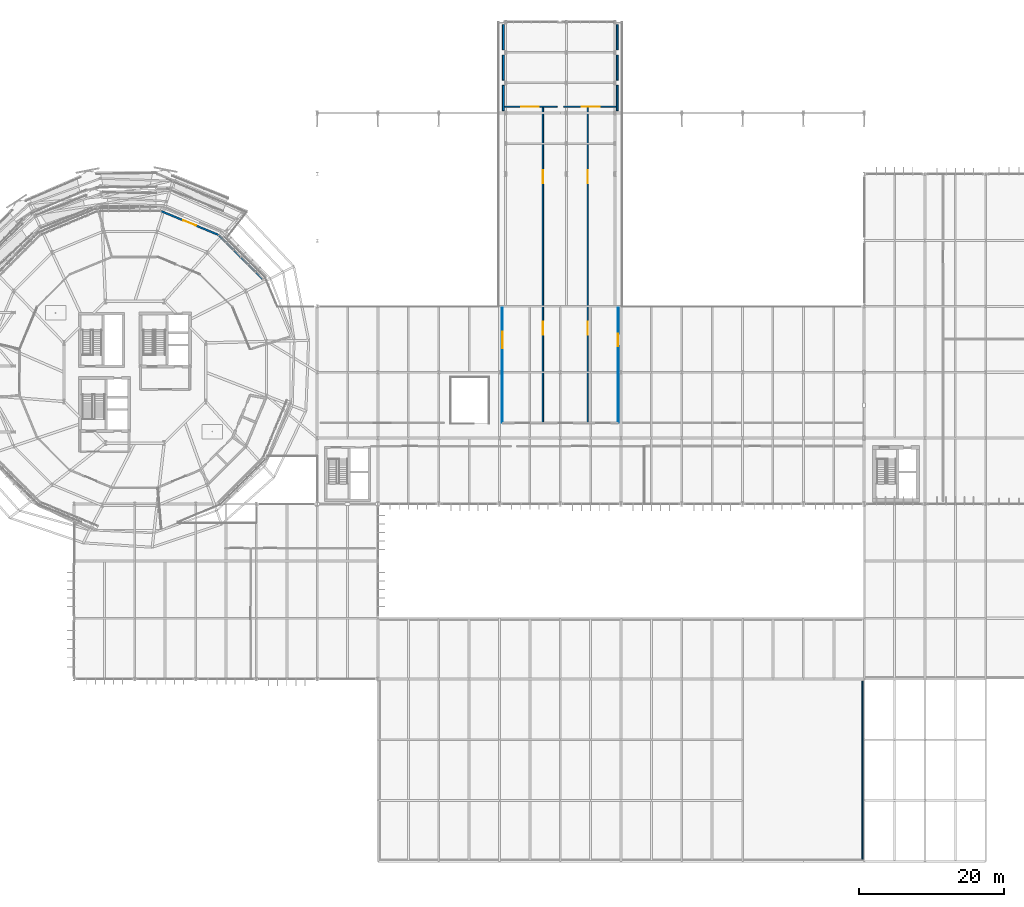
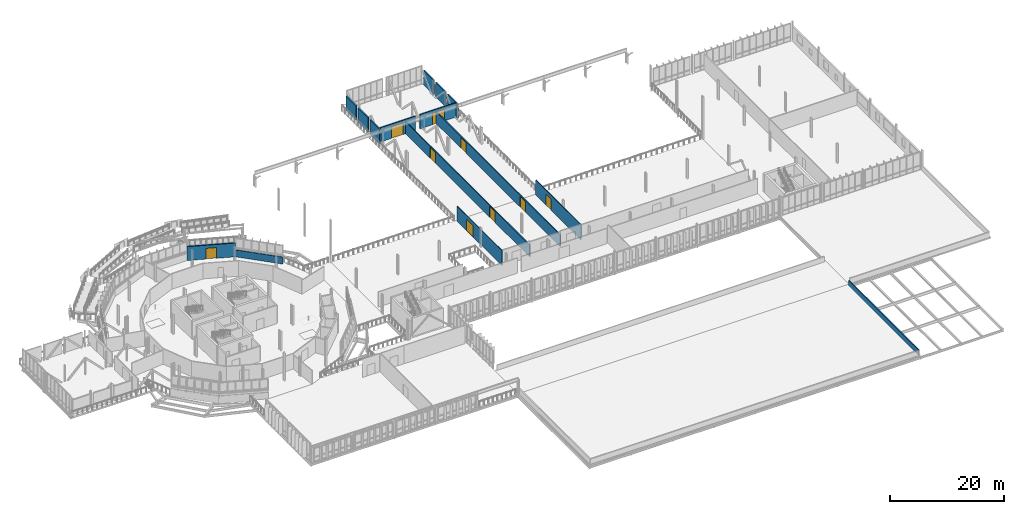
# One storey, part 91 of 107: 15 walls, 9 doors, 9 openings.
"""IFC4 building model written with IfcOpenShell, lengths in metres."""

from ifc_helpers import new_model, si_unit, derived_unit, direction, frame, frame_2d, origin, place, context, subcontext, project, spatial, rectangle, extrude, material, layer, layer_set, type_object, element, fill, save


model = new_model("IFC4")

# Units and contexts
model_context = context("Model", 3, precision=1e-05, world=origin(), true_north=direction((0.0, 1.0)))
body_context = subcontext(model_context, "Body", "Model", "MODEL_VIEW")
ifc_project = project(units=[si_unit("LENGTHUNIT", "METRE"), si_unit("AREAUNIT", "SQUARE_METRE"), si_unit("VOLUMEUNIT", "CUBIC_METRE"), si_unit("PLANEANGLEUNIT", "RADIAN"), si_unit("MASSUNIT", "GRAM", prefix="KILO"), derived_unit("THERMALTRANSMITTANCEUNIT", [(si_unit("MASSUNIT", "GRAM", prefix="KILO"), 1), (si_unit("TIMEUNIT", "SECOND"), -3), (si_unit("THERMODYNAMICTEMPERATUREUNIT", "KELVIN"), -1)])], contexts=[model_context])

# Site, building, storey
site_placement = place(None, origin())
site = spatial("IfcSite", under=ifc_project, at=site_placement, CompositionType="ELEMENT")
building_placement = place(site_placement, origin())
building = spatial("IfcBuilding", under=site, at=building_placement, Name="Makaiwela Harbour Ferry Terminal", CompositionType="ELEMENT")
storey_placement = place(building_placement, frame((0.0, 0.0, 9.60009765625)))
storey = spatial("IfcBuildingStorey", under=building, at=storey_placement, Name="L02", CompositionType="ELEMENT", Elevation=9.60009765625)

# Wall
ifc_material_1 = material(Name="Precast concrete f'c 40 MPa (6000 psi)", Category="concrete")
ifc_layer_1 = layer(ifc_material_1, 0.260009765625)
ifc_layer_set_1 = layer_set([ifc_layer_1], Name="Precast concrete f'c 40 MPa (6000 psi)")
wall_type_1 = type_object("IfcWallType", Name="ENV-WL-EXT260", PredefinedType="SOLIDWALL", material=ifc_layer_set_1)
wall_1_placement = place(storey_placement, frame((55.4873046875, 80.46484375, 0.0), z_axis=(0.0, 0.0, 1.0), x_axis=(-0.707106781187, 0.707106781187, 0.0)))
element("IfcWall", 1, at=wall_1_placement, inside=storey, type_object=wall_type_1, Name="Drum Spandrel Backup Wall EW-L02-01", PredefinedType="SOLIDWALL", context=body_context, shape_type="SweptSolid", body=[
    extrude(rectangle(XDim=8.60205078125, YDim=0.260009765625, at=frame_2d((4.301025390625, 0.0))), origin(), (0.0, 0.0, 1.0), 1.47998046875),
])

# Wall, opening, door
wall_2_placement = place(storey_placement, frame((49.35595703125, 86.580078125, 0.0), z_axis=(0.0, 0.0, 1.0), x_axis=(-0.923884347809, 0.382671807001, 0.0)))
wall_2 = element("IfcWall", 2, at=wall_2_placement, inside=storey, type_object=wall_type_1, Name="Drum Exterior Wall EW-L02-02", PredefinedType="SOLIDWALL", context=body_context, shape_type="SweptSolid", body=[
    extrude(rectangle(XDim=8.60205078125, YDim=0.260009765625, at=frame_2d((4.301025390625, 0.0))), origin(), (0.0, 0.0, 1.0), 2.969970703125),
])
opening_1_placement = place(wall_2_placement, frame((3.35107421875, 0.0, 0.0)))
opening_1 = element("IfcOpeningElement", 3, at=opening_1_placement, cuts=wall_2, Name="Opening ED-06", PredefinedType="OPENING", context=body_context, shape_type="SweptSolid", body=[
    extrude(rectangle(XDim=1.89990234375, YDim=2.300048828125, at=frame_2d((0.949951171875, 1.14990234375))), frame((0.0, 0.139892578125, 0.0), z_axis=(0.0, -1.0, 0.0), x_axis=(1.0, 0.0, 0.0)), (0.0, 0.0, 1.0), 0.280029296875),
])
ifc_material_2 = material(Name="Marine anodised aluminium 6063-T6", Category="aluminium")
door_type_1 = type_object("IfcDoorType", Name="ENV-DR-TER190", OperationType="NOTDEFINED", PredefinedType="DOOR", material=ifc_material_2)
door_1_placement = place(opening_1_placement, frame((1.89990234375, 0.0, 0.0), z_axis=(0.0, 0.0, 1.0), x_axis=(-1.0, 0.0, 0.0)))
door_1 = element("IfcDoor", 4, at=door_1_placement, inside=storey, type_object=door_type_1, Name="Exterior Door ED-06", OperationType="DOUBLE_DOOR_SINGLE_SWING", OverallHeight=2.300048828125, OverallWidth=1.89990234375, PredefinedType="DOOR", context=body_context, shape_type="SweptSolid", body=[
    extrude(rectangle(XDim=1.89990234375, YDim=2.300048828125, at=frame_2d((0.949951171875, 1.14990234375))), frame((0.0, 0.02490234375, 0.0), z_axis=(0.0, -1.0, 0.0), x_axis=(1.0, 0.0, 0.0)), (0.0, 0.0, 1.0), 0.050048828125),
])
fill(opening_1, door_1)

# Walls
for number, where, z_axis, x_axis, name in (
    (5, (88.72998046875, 103.760009765625, 0.0), (0.0, 0.0, 1.0), (0.0, 1.0, 0.0), "Exterior Wall EW-081"),
    (6, (104.469970703125, 107.239990234375, 0.0), (0.0, 0.0, 1.0), (0.0, -1.0, 0.0), "Exterior Wall EW-082"),
    (7, (88.72998046875, 107.9599609375, 0.0), (0.0, 0.0, 1.0), (0.0, 1.0, 0.0), "Exterior Wall EW-085"),
    (8, (104.469970703125, 111.43994140625, 0.0), (0.0, 0.0, 1.0), (0.0, -1.0, 0.0), "Exterior Wall EW-086"),
    (9, (88.72998046875, 112.159912109375, 0.0), (0.0, 0.0, 1.0), (0.0, 1.0, 0.0), "Exterior Wall EW-089"),
    (10, (104.469970703125, 115.639892578125, 0.0), (0.0, 0.0, 1.0), (0.0, -1.0, 0.0), "Exterior Wall EW-090"),
):
    element("IfcWall", number, at=place(storey_placement, frame(where, z_axis=z_axis, x_axis=x_axis)), inside=storey, type_object=wall_type_1, Name=name, PredefinedType="SOLIDWALL", context=body_context, shape_type="SweptSolid", body=[
        extrude(rectangle(XDim=3.47998046875, YDim=0.260009765625, at=frame_2d((1.739990234375, 0.0))), origin(), (0.0, 0.0, 1.0), 3.083984375),
    ])
ifc_layer_2 = layer(ifc_material_1, 0.199951171875)
ifc_layer_set_2 = layer_set([ifc_layer_2], Name="Precast concrete f'c 40 MPa (6000 psi)")
wall_type_2 = type_object("IfcWallType", Name="ENV-WL-PAR200", PredefinedType="PARAPET", material=ifc_layer_set_2)
wall_3_placement = place(storey_placement, frame((138.39990234375, 0.31005859375, 0.0), z_axis=(0.0, 0.0, 1.0), x_axis=(0.0, 1.0, 0.0)))
element("IfcWall", 11, at=wall_3_placement, inside=storey, type_object=wall_type_2, Name="Roof Parapet Wall PW-007", PredefinedType="PARAPET", context=body_context, shape_type="SweptSolid", body=[
    extrude(rectangle(XDim=24.579833984375, YDim=0.199951171875, at=frame_2d((12.2900390625, 0.0))), origin(), (0.0, 0.0, 1.0), 1.119873046875),
])

# Wall, opening, door
ifc_material_3 = material(Name="Fire-rated gypsum board on steel studs", Category="steel")
ifc_layer_3 = layer(ifc_material_3, 0.179931640625)
ifc_layer_set_3 = layer_set([ifc_layer_3], Name="Fire-rated gypsum board on steel studs")
wall_type_3 = type_object("IfcWallType", Name="INT-WL-FIR180", PredefinedType="PARTITIONING", material=ifc_layer_set_3)
wall_4_placement = place(storey_placement, frame((88.64990234375, 104.300048828125, 0.0), z_axis=(0.0, 0.0, 1.0), x_axis=(1.0, 0.0, 0.0)))
wall_4 = element("IfcWall", 12, at=wall_4_placement, inside=storey, type_object=wall_type_3, Name="Interior Wall IW-0232", PredefinedType="PARTITIONING", context=body_context, shape_type="SweptSolid", body=[
    extrude(rectangle(XDim=7.5, YDim=0.179931640625, at=frame_2d((3.75, 0.0))), origin(), (0.0, 0.0, 1.0), 3.083984375),
])
opening_2_placement = place(wall_4_placement, frame((2.550048828125, 0.0, 0.0)))
opening_2 = element("IfcOpeningElement", 13, at=opening_2_placement, cuts=wall_4, Name="Opening BG-01", PredefinedType="OPENING", context=body_context, shape_type="SweptSolid", body=[
    extrude(rectangle(XDim=2.39990234375, YDim=2.5, at=frame_2d((1.199951171875, 1.25))), frame((0.0, 0.099853515625, 0.0), z_axis=(0.0, -1.0, 0.0), x_axis=(1.0, 0.0, 0.0)), (0.0, 0.0, 1.0), 0.199951171875),
])
door_type_2 = type_object("IfcDoorType", Name="ENV-GT-BRD01", OperationType="NOTDEFINED", PredefinedType="GATE", material=ifc_material_2)
door_2_placement = place(opening_2_placement, origin())
door_2 = element("IfcDoor", 14, at=door_2_placement, inside=storey, type_object=door_type_2, Name="Door BG-01", OperationType="DOUBLE_DOOR_SLIDING", OverallHeight=2.5, OverallWidth=2.39990234375, PredefinedType="GATE", context=body_context, shape_type="SweptSolid", body=[
    extrude(rectangle(XDim=2.39990234375, YDim=2.5, at=frame_2d((1.199951171875, 1.25))), frame((0.0, 0.02490234375, 0.0), z_axis=(0.0, -1.0, 0.0), x_axis=(1.0, 0.0, 0.0)), (0.0, 0.0, 1.0), 0.050048828125),
])
fill(opening_2, door_2)

wall_5_placement = place(storey_placement, frame((97.050048828125, 104.300048828125, 0.0), z_axis=(0.0, 0.0, 1.0), x_axis=(1.0, 0.0, 0.0)))
wall_5 = element("IfcWall", 15, at=wall_5_placement, inside=storey, type_object=wall_type_3, Name="Interior Wall IW-0233", PredefinedType="PARTITIONING", context=body_context, shape_type="SweptSolid", body=[
    extrude(rectangle(XDim=7.5, YDim=0.179931640625, at=frame_2d((3.75, 0.0))), origin(), (0.0, 0.0, 1.0), 3.083984375),
])
opening_3_placement = place(wall_5_placement, frame((2.5, 0.0, 0.0)))
opening_3 = element("IfcOpeningElement", 16, at=opening_3_placement, cuts=wall_5, Name="Opening BG-02", PredefinedType="OPENING", context=body_context, shape_type="SweptSolid", body=[
    extrude(rectangle(XDim=2.5, YDim=2.5, at=frame_2d((1.25, 1.25))), frame((0.0, 0.099853515625, 0.0), z_axis=(0.0, -1.0, 0.0), x_axis=(1.0, 0.0, 0.0)), (0.0, 0.0, 1.0), 0.199951171875),
])
door_type_3 = type_object("IfcDoorType", Name="ENV-GT-BRD02", OperationType="NOTDEFINED", PredefinedType="GATE", material=ifc_material_2)
door_3_placement = place(opening_3_placement, origin())
door_3 = element("IfcDoor", 17, at=door_3_placement, inside=storey, type_object=door_type_3, Name="Door BG-02", OperationType="DOUBLE_DOOR_SLIDING", OverallHeight=2.5, OverallWidth=2.5, PredefinedType="GATE", context=body_context, shape_type="SweptSolid", body=[
    extrude(rectangle(XDim=2.5, YDim=2.5, at=frame_2d((1.25, 1.25))), frame((0.0, 0.02490234375, 0.0), z_axis=(0.0, -1.0, 0.0), x_axis=(1.0, 0.0, 0.0)), (0.0, 0.0, 1.0), 0.050048828125),
])
fill(opening_3, door_3)

# Wall, openings, doors
wall_6_placement = place(storey_placement, frame((94.199951171875, 60.60009765625, 0.0), z_axis=(0.0, 0.0, 1.0), x_axis=(0.0, 1.0, 0.0)))
wall_6 = element("IfcWall", 18, at=wall_6_placement, inside=storey, type_object=wall_type_3, Name="Interior Wall IW-0549", PredefinedType="PARTITIONING", context=body_context, shape_type="SweptSolid", body=[
    extrude(rectangle(XDim=43.599853515625, YDim=0.179931640625, at=frame_2d((21.7998046875, 0.0))), origin(), (0.0, 0.0, 1.0), 2.539794921875),
])
opening_4_placement = place(wall_6_placement, frame((12.155029296875, 0.0, 0.0)))
opening_4 = element("IfcOpeningElement", 19, at=opening_4_placement, cuts=wall_6, Name="Opening D-05", PredefinedType="OPENING", context=body_context, shape_type="SweptSolid", body=[
    extrude(rectangle(XDim=1.85009765625, YDim=2.300048828125, at=frame_2d((0.925048828125, 1.14990234375))), frame((0.0, 0.099853515625, 0.0), z_axis=(0.0, -1.0, 0.0), x_axis=(1.0, 0.0, 0.0)), (0.0, 0.0, 1.0), 0.199951171875),
])
opening_5_placement = place(wall_6_placement, frame((33.0830078125, 0.0, 0.0)))
opening_5 = element("IfcOpeningElement", 20, at=opening_5_placement, cuts=wall_6, Name="Opening D-05", PredefinedType="OPENING", context=body_context, shape_type="SweptSolid", body=[
    extrude(rectangle(XDim=1.85009765625, YDim=2.300048828125, at=frame_2d((0.925048828125, 1.14990234375))), frame((0.0, 0.099853515625, 0.0), z_axis=(0.0, -1.0, 0.0), x_axis=(1.0, 0.0, 0.0)), (0.0, 0.0, 1.0), 0.199951171875),
])
ifc_material_4 = material(Name="Insulated galvanised fire-rated steel leaf and frame", Category="steel")
door_type_4 = type_object("IfcDoorType", Name="INT-DR-COR185", OperationType="NOTDEFINED", PredefinedType="DOOR", material=ifc_material_4)
door_4_placement = place(opening_4_placement, origin())
door_4 = element("IfcDoor", 21, at=door_4_placement, inside=storey, type_object=door_type_4, Name="Door D-05", OperationType="DOUBLE_DOOR_SINGLE_SWING", OverallHeight=2.300048828125, OverallWidth=1.85009765625, PredefinedType="DOOR", context=body_context, shape_type="SweptSolid", body=[
    extrude(rectangle(XDim=1.85009765625, YDim=2.300048828125, at=frame_2d((0.925048828125, 1.14990234375))), frame((0.0, 0.02490234375, 0.0), z_axis=(0.0, -1.0, 0.0), x_axis=(1.0, 0.0, 0.0)), (0.0, 0.0, 1.0), 0.050048828125),
])
fill(opening_4, door_4)
door_5_placement = place(opening_5_placement, origin())
door_5 = element("IfcDoor", 22, at=door_5_placement, inside=storey, type_object=door_type_4, Name="Door D-05", OperationType="DOUBLE_DOOR_SINGLE_SWING", OverallHeight=2.300048828125, OverallWidth=1.85009765625, PredefinedType="DOOR", context=body_context, shape_type="SweptSolid", body=[
    extrude(rectangle(XDim=1.85009765625, YDim=2.300048828125, at=frame_2d((0.925048828125, 1.14990234375))), frame((0.0, 0.02490234375, 0.0), z_axis=(0.0, -1.0, 0.0), x_axis=(1.0, 0.0, 0.0)), (0.0, 0.0, 1.0), 0.050048828125),
])
fill(opening_5, door_5)

wall_7_placement = place(storey_placement, frame((100.39990234375, 60.60009765625, 0.0), z_axis=(0.0, 0.0, 1.0), x_axis=(0.0, 1.0, 0.0)))
wall_7 = element("IfcWall", 23, at=wall_7_placement, inside=storey, type_object=wall_type_3, Name="Interior Wall IW-0550", PredefinedType="PARTITIONING", context=body_context, shape_type="SweptSolid", body=[
    extrude(rectangle(XDim=43.599853515625, YDim=0.179931640625, at=frame_2d((21.7998046875, 0.0))), origin(), (0.0, 0.0, 1.0), 2.539794921875),
])
opening_6_placement = place(wall_7_placement, frame((12.155029296875, 0.0, 0.0)))
opening_6 = element("IfcOpeningElement", 24, at=opening_6_placement, cuts=wall_7, Name="Opening D-05", PredefinedType="OPENING", context=body_context, shape_type="SweptSolid", body=[
    extrude(rectangle(XDim=1.85009765625, YDim=2.300048828125, at=frame_2d((0.925048828125, 1.14990234375))), frame((0.0, 0.099853515625, 0.0), z_axis=(0.0, -1.0, 0.0), x_axis=(1.0, 0.0, 0.0)), (0.0, 0.0, 1.0), 0.199951171875),
])
opening_7_placement = place(wall_7_placement, frame((33.0830078125, 0.0, 0.0)))
opening_7 = element("IfcOpeningElement", 25, at=opening_7_placement, cuts=wall_7, Name="Opening D-05", PredefinedType="OPENING", context=body_context, shape_type="SweptSolid", body=[
    extrude(rectangle(XDim=1.85009765625, YDim=2.300048828125, at=frame_2d((0.925048828125, 1.14990234375))), frame((0.0, 0.099853515625, 0.0), z_axis=(0.0, -1.0, 0.0), x_axis=(1.0, 0.0, 0.0)), (0.0, 0.0, 1.0), 0.199951171875),
])
door_6_placement = place(opening_6_placement, origin())
door_6 = element("IfcDoor", 26, at=door_6_placement, inside=storey, type_object=door_type_4, Name="Door D-05", OperationType="DOUBLE_DOOR_SINGLE_SWING", OverallHeight=2.300048828125, OverallWidth=1.85009765625, PredefinedType="DOOR", context=body_context, shape_type="SweptSolid", body=[
    extrude(rectangle(XDim=1.85009765625, YDim=2.300048828125, at=frame_2d((0.925048828125, 1.14990234375))), frame((0.0, 0.02490234375, 0.0), z_axis=(0.0, -1.0, 0.0), x_axis=(1.0, 0.0, 0.0)), (0.0, 0.0, 1.0), 0.050048828125),
])
fill(opening_6, door_6)
door_7_placement = place(opening_7_placement, origin())
door_7 = element("IfcDoor", 27, at=door_7_placement, inside=storey, type_object=door_type_4, Name="Door D-05", OperationType="DOUBLE_DOOR_SINGLE_SWING", OverallHeight=2.300048828125, OverallWidth=1.85009765625, PredefinedType="DOOR", context=body_context, shape_type="SweptSolid", body=[
    extrude(rectangle(XDim=1.85009765625, YDim=2.300048828125, at=frame_2d((0.925048828125, 1.14990234375))), frame((0.0, 0.02490234375, 0.0), z_axis=(0.0, -1.0, 0.0), x_axis=(1.0, 0.0, 0.0)), (0.0, 0.0, 1.0), 0.050048828125),
])
fill(opening_7, door_7)

# Wall, opening, door
ifc_material_5 = material(Name="Moisture-resistant acoustic gypsum partition", Category="gypsum")
ifc_layer_4 = layer(ifc_material_5, 0.1201171875)
ifc_layer_set_4 = layer_set([ifc_layer_4], Name="Moisture-resistant acoustic gypsum partition")
wall_type_4 = type_object("IfcWallType", Name="INT-WL-PRT120", PredefinedType="PARTITIONING", material=ifc_layer_set_4)
wall_8_placement = place(storey_placement, frame((88.60009765625, 60.60009765625, 0.0), z_axis=(0.0, 0.0, 1.0), x_axis=(0.0, 1.0, 0.0)))
wall_8 = element("IfcWall", 28, at=wall_8_placement, inside=storey, type_object=wall_type_4, Name="Interior Wall IW-0548", PredefinedType="PARTITIONING", context=body_context, shape_type="SweptSolid", body=[
    extrude(rectangle(XDim=15.89990234375, YDim=0.1201171875, at=frame_2d((7.949951171875, 0.0))), origin(), (0.0, 0.0, 1.0), 3.241943359375),
])
opening_8_placement = place(wall_8_placement, frame((10.298095703125, 0.0, 0.0)))
opening_8 = element("IfcOpeningElement", 29, at=opening_8_placement, cuts=wall_8, Name="Opening D-23", PredefinedType="OPENING", context=body_context, shape_type="SweptSolid", body=[
    extrude(rectangle(XDim=2.300048828125, YDim=2.449951171875, at=frame_2d((1.14990234375, 1.22509765625))), frame((0.0, 0.070068359375, 0.0), z_axis=(0.0, -1.0, 0.0), x_axis=(1.0, 0.0, 0.0)), (0.0, 0.0, 1.0), 0.14013671875),
])
ifc_material_6 = material(Name="Solid-core marine hardwood and painted steel frame", Category="steel")
door_type_5 = type_object("IfcDoorType", Name="INT-DR-CON230", OperationType="NOTDEFINED", PredefinedType="DOOR", material=ifc_material_6)
door_8_placement = place(opening_8_placement, origin())
door_8 = element("IfcDoor", 30, at=door_8_placement, inside=storey, type_object=door_type_5, Name="Door D-23", OperationType="DOUBLE_DOOR_SINGLE_SWING", OverallHeight=2.449951171875, OverallWidth=2.300048828125, PredefinedType="DOOR", context=body_context, shape_type="SweptSolid", body=[
    extrude(rectangle(XDim=2.300048828125, YDim=2.449951171875, at=frame_2d((1.14990234375, 1.22509765625))), frame((0.0, 0.02490234375, 0.0), z_axis=(0.0, -1.0, 0.0), x_axis=(1.0, 0.0, 0.0)), (0.0, 0.0, 1.0), 0.050048828125),
])
fill(opening_8, door_8)

wall_9_placement = place(storey_placement, frame((104.60009765625, 60.60009765625, 0.0), z_axis=(0.0, 0.0, 1.0), x_axis=(0.0, 1.0, 0.0)))
wall_9 = element("IfcWall", 31, at=wall_9_placement, inside=storey, type_object=wall_type_4, Name="Interior Wall IW-0551", PredefinedType="PARTITIONING", context=body_context, shape_type="SweptSolid", body=[
    extrude(rectangle(XDim=15.89990234375, YDim=0.1201171875, at=frame_2d((7.949951171875, 0.0))), origin(), (0.0, 0.0, 1.0), 3.241943359375),
])
opening_9_placement = place(wall_9_placement, frame((10.572998046875, 0.0, 0.0)))
opening_9 = element("IfcOpeningElement", 32, at=opening_9_placement, cuts=wall_9, Name="Opening D-18", PredefinedType="OPENING", context=body_context, shape_type="SweptSolid", body=[
    extrude(rectangle(XDim=1.75, YDim=2.35009765625, at=frame_2d((0.875, 1.175048828125))), frame((0.0, 0.070068359375, 0.0), z_axis=(0.0, -1.0, 0.0), x_axis=(1.0, 0.0, 0.0)), (0.0, 0.0, 1.0), 0.14013671875),
])
door_type_6 = type_object("IfcDoorType", Name="INT-DR-DIN175", OperationType="NOTDEFINED", PredefinedType="DOOR", material=ifc_material_6)
door_9_placement = place(opening_9_placement, frame((1.75, 0.0, 0.0), z_axis=(0.0, 0.0, 1.0), x_axis=(-1.0, 0.0, 0.0)))
door_9 = element("IfcDoor", 33, at=door_9_placement, inside=storey, type_object=door_type_6, Name="Door D-18", OperationType="DOUBLE_DOOR_SINGLE_SWING", OverallHeight=2.35009765625, OverallWidth=1.75, PredefinedType="DOOR", context=body_context, shape_type="SweptSolid", body=[
    extrude(rectangle(XDim=1.75, YDim=2.35009765625, at=frame_2d((0.875, 1.175048828125))), frame((0.0, 0.02490234375, 0.0), z_axis=(0.0, -1.0, 0.0), x_axis=(1.0, 0.0, 0.0)), (0.0, 0.0, 1.0), 0.050048828125),
])
fill(opening_9, door_9)

save(model, "model.ifc")
